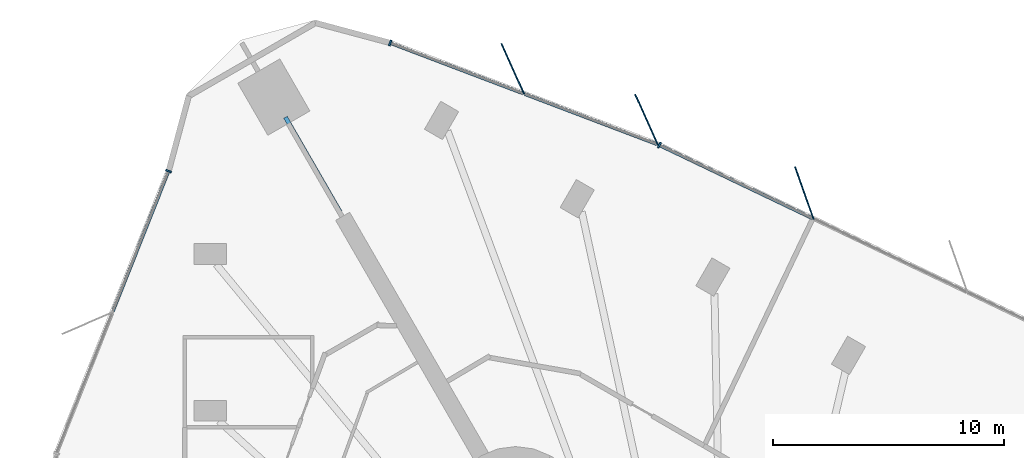
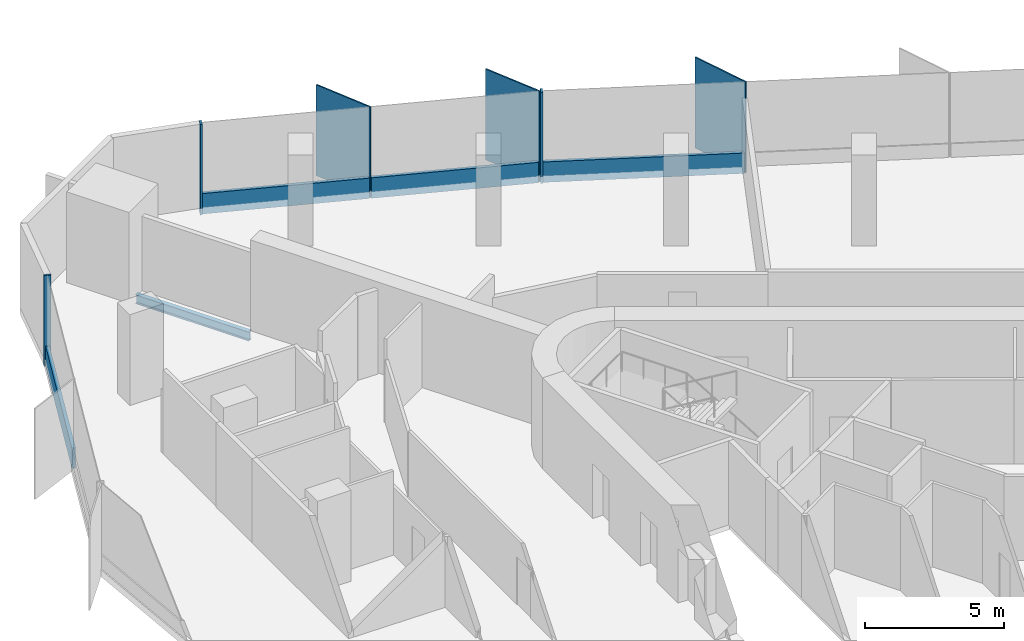
# One storey, part 6 of 13: 10 members, 1 beam, 3 elements without a shape of their own.
"""IFC4 building model written with IfcOpenShell, lengths in metres."""

from ifc_helpers import new_model, si_unit, direction, frame, origin, origin_2d, place, context, subcontext, project, spatial, rectangle, i_section, extrude, material, material_profile, profile_set, type_object, element, aggregate, save


model = new_model("IFC4")

# Units and contexts
model_context = context("Model", 3, precision=1e-05, world=origin(), true_north=direction((0.0, 1.0)))
body_context = subcontext(model_context, "Body", "Model", "MODEL_VIEW")
ifc_project = project(units=[si_unit("LENGTHUNIT", "METRE"), si_unit("AREAUNIT", "SQUARE_METRE"), si_unit("VOLUMEUNIT", "CUBIC_METRE"), si_unit("PLANEANGLEUNIT", "RADIAN"), si_unit("MASSUNIT", "GRAM", prefix="KILO")], contexts=[model_context])

# Site, building, storey
site_placement = place(None, origin())
site = spatial("IfcSite", under=ifc_project, at=site_placement, CompositionType="ELEMENT")
building_placement = place(site_placement, origin())
building = spatial("IfcBuilding", under=site, at=building_placement, Name="Tanit Gate Tower", CompositionType="ELEMENT")
storey_placement = place(building_placement, frame((0.0, 0.0, 193.199951171875)))
storey = spatial("IfcBuildingStorey", under=building, at=storey_placement, Name="L42", CompositionType="ELEMENT", Elevation=193.199951171875)

# Curtain wall, member
ifc_material_1 = material(Name="Aluminium bronze anodised and glass", Category="aluminium")
curtain_wall_type = type_object("IfcCurtainWallType", Name="Curtain wall typical mid", PredefinedType="NOTDEFINED", material=ifc_material_1)
curtain_wall_1_placement = place(storey_placement, origin())
curtain_wall_1 = element("IfcCurtainWall", 1, at=curtain_wall_1_placement, inside=storey, type_object=curtain_wall_type, Name="Curtain wall L42 NE2", PredefinedType="NOTDEFINED")
ifc_material_2 = material(Name="Aluminium bronze anodised", Category="aluminium")
ifc_material_profile_1 = material_profile(ifc_material_2, rectangle(XDim=2.39990234375, YDim=0.055908203125, at=origin_2d()), Name="56x2400 bronze fin mullion")
ifc_profile_set_1 = profile_set([ifc_material_profile_1], Name="Aluminium bronze anodised")
member_type_1 = type_object("IfcMemberType", Name="FIN MULLION 56x2400 bronze", PredefinedType="MULLION", material=ifc_profile_set_1)
member_1_placement = place(storey_placement, frame((3.3798828125, 29.718994140625, -0.300048828125), z_axis=(0.0, 0.0, 1.0), x_axis=(0.333220063881, -0.942849080727, 0.0)))
member_1 = element("IfcMember", 2, at=member_1_placement, type_object=member_type_1, Name="Fin mullion L42 NE2.5", PredefinedType="MULLION", context=body_context, shape_type="SweptSolid", body=[
    extrude(rectangle(XDim=2.39990234375, YDim=0.055908203125, at=origin_2d()), origin(), (0.0, 0.0, 1.0), 4.0),
])

# Curtain wall, members
curtain_wall_2_placement = place(storey_placement, origin())
curtain_wall_2 = element("IfcCurtainWall", 3, at=curtain_wall_2_placement, inside=storey, type_object=curtain_wall_type, Name="Curtain wall L42 NE3", PredefinedType="NOTDEFINED")
member_2_placement = place(storey_placement, frame((-3.442626953125, 32.894775390625, -0.300048828125), z_axis=(0.0, 0.0, 1.0), x_axis=(0.410309884054, -0.911946160169, 0.0)))
member_2 = element("IfcMember", 4, at=member_2_placement, type_object=member_type_1, Name="Fin mullion L42 NE3.1", PredefinedType="MULLION", context=body_context, shape_type="SweptSolid", body=[
    extrude(rectangle(XDim=2.39990234375, YDim=0.055908203125, at=origin_2d()), origin(), (0.0, 0.0, 1.0), 4.0),
])
member_3_placement = place(storey_placement, frame((-9.224609375, 35.08837890625, -0.300048828125), z_axis=(0.0, 0.0, 1.0), x_axis=(0.410309884054, -0.911946160169, 0.0)))
member_3 = element("IfcMember", 5, at=member_3_placement, type_object=member_type_1, Name="Fin mullion L42 NE3.2", PredefinedType="MULLION", context=body_context, shape_type="SweptSolid", body=[
    extrude(rectangle(XDim=2.39990234375, YDim=0.055908203125, at=origin_2d()), origin(), (0.0, 0.0, 1.0), 4.0),
])

# Member
ifc_material_3 = material(Name="Aluminium bronze anodised", Category="aluminium")
ifc_material_profile_2 = material_profile(ifc_material_3, rectangle(XDim=0.260009765625, YDim=0.080078125, at=origin_2d()), Name="80x260 bronze mullion")
ifc_profile_set_2 = profile_set([ifc_material_profile_2], Name="Aluminium bronze anodised")
member_type_2 = type_object("IfcMemberType", Name="Mullion 80x260 typical mid", PredefinedType="MULLION", material=ifc_profile_set_2)
member_4_placement = place(storey_placement, frame((-2.885498046875, 31.78857421875, -0.300048828125), z_axis=(0.0, 0.0, 1.0), x_axis=(-0.431072811819, -0.902317145415, 0.0)))
member_4 = element("IfcMember", 6, at=member_4_placement, type_object=member_type_2, Name="Mullion L42 NE2.6", PredefinedType="MULLION", context=body_context, shape_type="SweptSolid", body=[
    extrude(rectangle(XDim=0.260009765625, YDim=0.080078125, at=origin_2d()), origin(), (0.0, 0.0, 1.0), 4.0),
])

member_5_placement = place(storey_placement, frame((-14.52294921875, 36.20703125, -0.300048828125), z_axis=(0.0, 0.0, 1.0), x_axis=(-0.35471041253, -0.934976215335, 0.0)))
member_5 = element("IfcMember", 7, at=member_5_placement, type_object=member_type_2, Name="Mullion L42 NE3.3", PredefinedType="MULLION", context=body_context, shape_type="SweptSolid", body=[
    extrude(rectangle(XDim=0.260009765625, YDim=0.080078125, at=origin_2d()), origin(), (0.0, 0.0, 1.0), 4.0),
])

# Curtain wall, member
curtain_wall_3_placement = place(storey_placement, origin())
curtain_wall_3 = element("IfcCurtainWall", 8, at=curtain_wall_3_placement, inside=storey, type_object=curtain_wall_type, Name="Curtain wall L42 W1", PredefinedType="NOTDEFINED")
member_6_placement = place(storey_placement, frame((-24.1064453125, 30.67041015625, -0.300048828125), z_axis=(0.0, 0.0, 1.0), x_axis=(0.929554138674, -0.368685642892, 0.0)))
member_6 = element("IfcMember", 9, at=member_6_placement, type_object=member_type_2, Name="Mullion L42 W1.1", PredefinedType="MULLION", context=body_context, shape_type="SweptSolid", body=[
    extrude(rectangle(XDim=0.260009765625, YDim=0.080078125, at=origin_2d()), origin(), (0.0, 0.0, 1.0), 4.0),
])

# Beam
ifc_material_4 = material(Name="Steel S355", Category="steel")
ifc_material_profile_3 = material_profile(ifc_material_4, i_section(OverallWidth=0.179931640625, OverallDepth=0.39990234375, WebThickness=0.008544921875, FlangeThickness=0.013427734375, FilletRadius=0.02099609375, at=origin_2d()), Name="IPE 400")
ifc_profile_set_3 = profile_set([ifc_material_profile_3], Name="Steel S355")
beam_type = type_object("IfcBeamType", Name="RADIAL GIRDER IPE 400 S355", PredefinedType="BEAM", material=ifc_profile_set_3)
beam_placement = place(storey_placement, frame((-19.05126953125, 32.997802734375, -0.5), z_axis=(0.49999482868, -0.866028389427, 0.0), x_axis=(0.866028389427, 0.49999482868, 0.0)))
element("IfcBeam", 10, at=beam_placement, inside=storey, type_object=beam_type, Name="RADIAL GIRDER", PredefinedType="BEAM", context=body_context, shape_type="SweptSolid", body=[
    extrude(i_section(OverallWidth=0.179931640625, OverallDepth=0.39990234375, WebThickness=0.008544921875, FlangeThickness=0.013427734375, FilletRadius=0.02099609375, at=origin_2d()), origin(), (0.0, 0.0, 1.0), 4.73291015625),
])

# Member
ifc_material_5 = material(Name="Aluminium bronze anodised", Category="aluminium")
ifc_material_profile_4 = material_profile(ifc_material_5, rectangle(XDim=0.139892578125, YDim=0.89990234375, at=origin_2d()), Name="140x900 bronze transom")
ifc_profile_set_4 = profile_set([ifc_material_profile_4], Name="Aluminium bronze anodised")
member_type_3 = type_object("IfcMemberType", Name="Transom 140x900 typical mid", PredefinedType="USERDEFINED", material=ifc_profile_set_4)
member_7_placement = place(storey_placement, frame((3.736572265625, 28.625, 0.150146484375), z_axis=(-0.902323765346, 0.431058954775, 0.0), x_axis=(-0.431058954775, -0.902323765346, 0.0)))
member_7 = element("IfcMember", 11, at=member_7_placement, type_object=member_type_3, Name="Transom L42 NE2.5", ObjectType="TRANSOM", PredefinedType="USERDEFINED", context=body_context, shape_type="SweptSolid", body=[
    extrude(rectangle(XDim=0.139892578125, YDim=0.89990234375, at=origin_2d()), origin(), (0.0, 0.0, 1.0), 7.298828125),
])

aggregate(curtain_wall_1, [member_1, member_4, member_7])

member_8_placement = place(storey_placement, frame((-2.996337890625, 31.833984375, 0.150146484375), z_axis=(-0.934967795599, 0.354732605201, 0.0), x_axis=(-0.354732605201, -0.934967795599, 0.0)))
member_8 = element("IfcMember", 12, at=member_8_placement, type_object=member_type_3, Name="Transom L42 NE3.1", ObjectType="TRANSOM", PredefinedType="USERDEFINED", context=body_context, shape_type="SweptSolid", body=[
    extrude(rectangle(XDim=0.139892578125, YDim=0.89990234375, at=origin_2d()), origin(), (0.0, 0.0, 1.0), 6.10400390625),
])

member_9_placement = place(storey_placement, frame((-8.7783203125, 34.027587890625, 0.150146484375), z_axis=(-0.934967795599, 0.354732605201, 0.0), x_axis=(-0.354732605201, -0.934967795599, 0.0)))
member_9 = element("IfcMember", 13, at=member_9_placement, type_object=member_type_3, Name="Transom L42 NE3.2", ObjectType="TRANSOM", PredefinedType="USERDEFINED", context=body_context, shape_type="SweptSolid", body=[
    extrude(rectangle(XDim=0.139892578125, YDim=0.89990234375, at=origin_2d()), origin(), (0.0, 0.0, 1.0), 6.10400390625),
])

aggregate(curtain_wall_2, [member_2, member_3, member_5, member_8, member_9])

member_10_placement = place(storey_placement, frame((-24.12109375, 30.63330078125, 0.150146484375), z_axis=(-0.368695272447, -0.929550319281, 0.0), x_axis=(0.929550319281, -0.368695272447, 0.0)))
member_10 = element("IfcMember", 14, at=member_10_placement, type_object=member_type_3, Name="Transom L42 W1.1", ObjectType="TRANSOM", PredefinedType="USERDEFINED", context=body_context, shape_type="SweptSolid", body=[
    extrude(rectangle(XDim=0.139892578125, YDim=0.89990234375, at=origin_2d()), origin(), (0.0, 0.0, 1.0), 6.484619140625),
])

aggregate(curtain_wall_3, [member_6, member_10])

save(model, "model.ifc")
